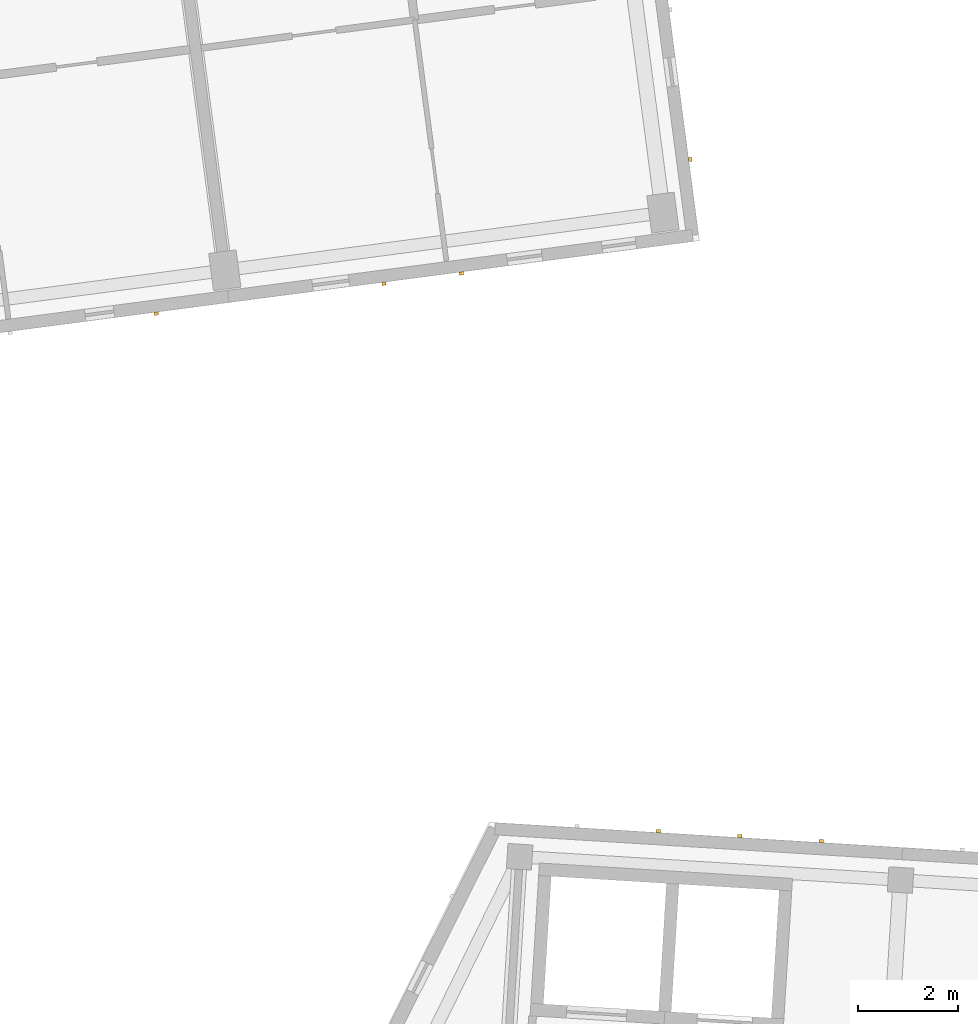
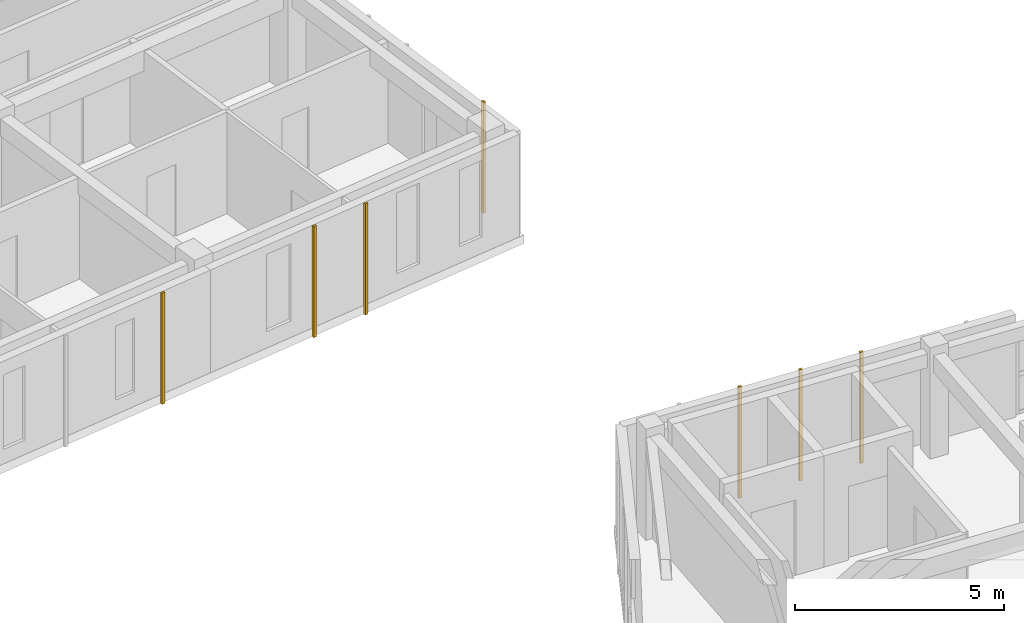
# One storey, part 48 of 68: 7 coverings.
"""IFC4 building model written with IfcOpenShell, lengths in metres."""

from ifc_helpers import new_model, si_unit, direction, frame, origin, origin_2d, place, context, subcontext, project, spatial, rectangle, extrude, material, layer, layer_set, type_object, element, save


model = new_model("IFC4")

# Units and contexts
model_context = context("Model", 3, precision=1e-05, world=origin(), true_north=direction((0.0, 1.0)))
body_context = subcontext(model_context, "Body", "Model", "MODEL_VIEW")
ifc_project = project(units=[si_unit("LENGTHUNIT", "METRE"), si_unit("AREAUNIT", "SQUARE_METRE"), si_unit("VOLUMEUNIT", "CUBIC_METRE"), si_unit("PLANEANGLEUNIT", "RADIAN"), si_unit("MASSUNIT", "GRAM", prefix="KILO")], contexts=[model_context])

# Site, building, storey
site_placement = place(None, origin())
site = spatial("IfcSite", under=ifc_project, at=site_placement, CompositionType="ELEMENT")
building_placement = place(site_placement, origin())
building = spatial("IfcBuilding", under=site, at=building_placement, Name="Kestramere Prow Commons", CompositionType="ELEMENT")
storey_placement = place(building_placement, frame((0.0, 0.0, 18.14990234375)))
storey = spatial("IfcBuildingStorey", under=building, at=storey_placement, Name="L05", CompositionType="ELEMENT", Elevation=18.14990234375)

# Coverings
ifc_material = material(Name="Weathered Zinc-Titanium Standing-Seam Cladding")
ifc_layer = layer(ifc_material, 0.074951171875)
ifc_layer_set = layer_set([ifc_layer], Name="Weathered Zinc-Titanium Standing-Seam Cladding")
covering_type = type_object("IfcCoveringType", Name="COV-CLAD-SEAM", PredefinedType="CLADDING", material=ifc_layer_set)
for number, where, z_axis, x_axis, name in (
    (1, (53.4580078125, 76.880126953125, -0.25), (0.0, 0.0, 1.0), (-0.991444861374, -0.13052619222, 0.0), "EW-A-L05-S-4 Standing-Seam Rib 1"),
    (2, (59.53466796875, 77.679931640625, -0.25), (0.0, 0.0, 1.0), (-0.991444861374, -0.13052619222, 0.0), "EW-A-L05-S-5 Standing-Seam Rib 3"),
    (3, (57.99365234375, 77.47705078125, -0.25), (0.0, 0.0, 1.0), (-0.991444861374, -0.13052619222, 0.0), "EW-A-L05-S-5 Standing-Seam Rib 4"),
    (4, (64.09228515625, 79.950439453125, -0.25), (0.0, 0.0, 1.0), (0.13052619222, -0.991444861374, 0.0), "EW-A-L05-EAV Standing-Seam Rib 13"),
    (5, (63.457763671875, 66.5732421875, -0.25), (0.0, 0.0, 1.0), (0.998134798422, -0.061048539535, 0.0), "EW-C-L05-N-0 Standing-Seam Rib 2"),
    (6, (65.079833984375, 66.47412109375, -0.25), (0.0, 0.0, 1.0), (0.998134798422, -0.061048539535, 0.0), "EW-C-L05-N-0 Standing-Seam Rib 3"),
    (7, (66.70166015625, 66.375, -0.25), (0.0, 0.0, 1.0), (0.998134798422, -0.061048539535, 0.0), "EW-C-L05-N-0 Standing-Seam Rib 4"),
):
    element("IfcCovering", number, at=place(storey_placement, frame(where, z_axis=z_axis, x_axis=x_axis)), inside=storey, type_object=covering_type, Name=name, PredefinedType="CLADDING", context=body_context, shape_type="SweptSolid", body=[
        extrude(rectangle(XDim=0.0849609375, YDim=0.06494140625, at=origin_2d()), origin(), (0.0, 0.0, 1.0), 3.25),
    ])

save(model, "model.ifc")
